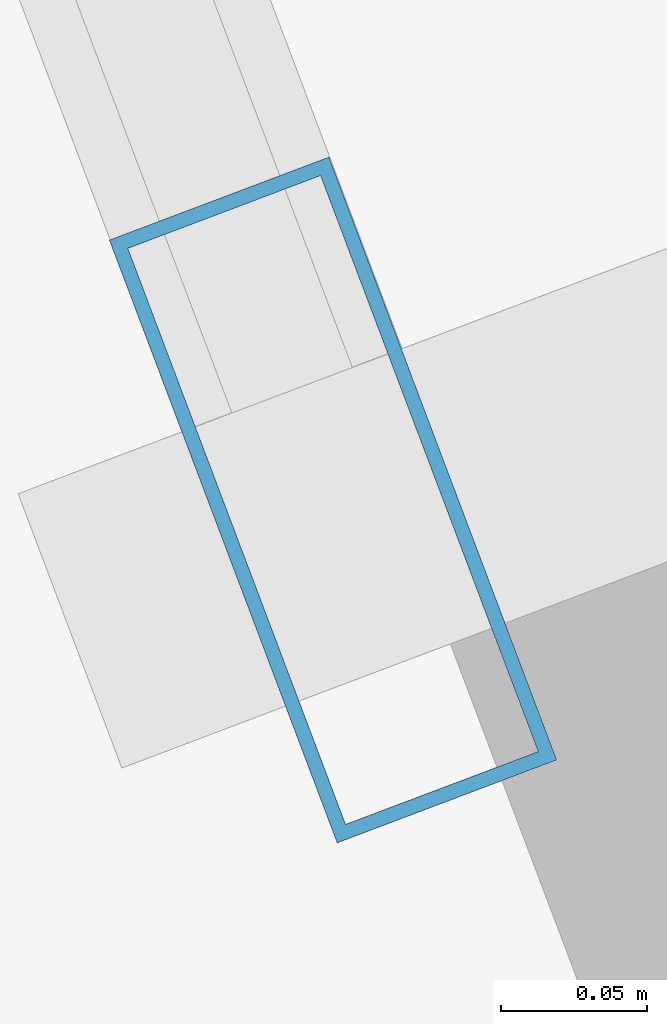
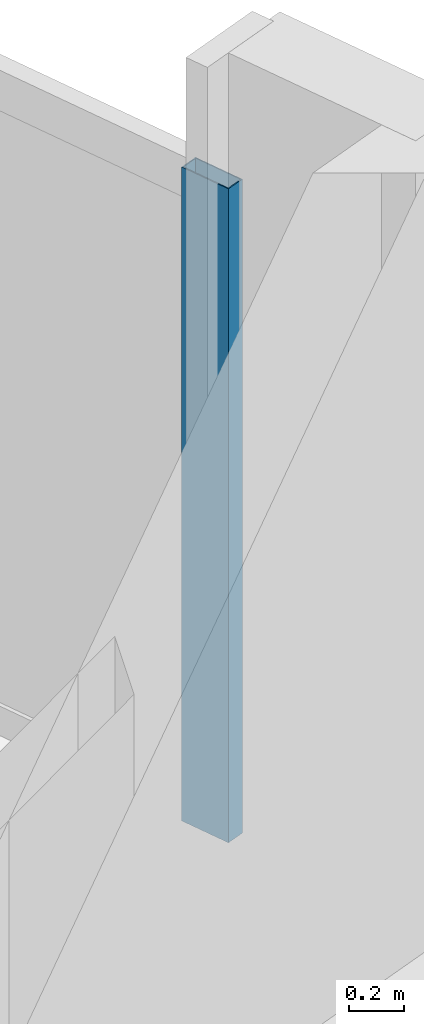
# One storey, part 13 of 37: 1 member, 1 element without a shape of its own.
"""IFC4 building model written with IfcOpenShell, lengths in metres."""

import ifcopenshell
import ifcopenshell.guid

model = None  # the IFC model being written
_history = None  # IfcOwnerHistory: only IFC2X3 demands one
_inside = {}  # id of a spatial element -> (the spatial element, [elements in it])
_under = {}  # id of a project, library or spatial element -> (it, [spatial elements below it])
_declared = {}  # id of a project -> (the project, [libraries it declares])
_typed = {}  # id of a type object -> (the type object, [elements of that type])
_made_of = {}  # id of a material, layer set ... -> (it, [elements and type objects made of it])


def new_model(schema):
    """Start an empty IFC model of exactly this schema.

    Asked for "IFC4X3", IfcOpenShell would pick the latest addendum, in which some entities
    have other attributes; the version numbers below select the first issue.
    IFC2X3 requires an IfcOwnerHistory on every rooted entity: one is made here for all.
    """
    global model, _history
    if schema == "IFC4X3":
        model = ifcopenshell.file(schema_version=(4, 3, 0, 0))
    else:
        model = ifcopenshell.file(schema=schema)
    _inside.clear()
    _under.clear()
    _declared.clear()
    _typed.clear()
    _made_of.clear()
    _history = None
    if model.schema == "IFC2X3":
        org = make("IfcOrganization", Name="unknown")
        user = make(
            "IfcPersonAndOrganization",
            ThePerson=make("IfcPerson", FamilyName="unknown"),
            TheOrganization=org,
        )
        app = make(
            "IfcApplication",
            ApplicationDeveloper=org,
            Version="unknown",
            ApplicationFullName="unknown",
            ApplicationIdentifier="unknown",
        )
        _history = make(
            "IfcOwnerHistory",
            OwningUser=user,
            OwningApplication=app,
            ChangeAction="ADDED",
            CreationDate=0,
        )
    return model


def make(cls, **values):
    """One entity of the class cls with the attributes given. An attribute that is None is left unset."""
    return model.create_entity(
        cls, **{name: value for name, value in values.items() if value is not None}
    )


def rooted(cls, **values):
    """An entity with a GlobalId (a new one), such as an element, a storey or a relation."""
    return make(cls, GlobalId=ifcopenshell.guid.new(), OwnerHistory=_history, **values)


def si_unit(unit_type, name, prefix=None):
    """IfcSIUnit, for example si_unit("LENGTHUNIT", "METRE", prefix="MILLI")."""
    return make("IfcSIUnit", UnitType=unit_type, Prefix=prefix, Name=name)


def assignment(units):
    """IfcUnitAssignment: the units of a project."""
    return None if units is None else make("IfcUnitAssignment", Units=units)


def point(xyz):
    """IfcCartesianPoint."""
    return None if xyz is None else make("IfcCartesianPoint", Coordinates=xyz)


def direction(xyz):
    """IfcDirection."""
    return None if xyz is None else make("IfcDirection", DirectionRatios=xyz)


def frame(location, z_axis=None, x_axis=None):
    """IfcAxis2Placement3D, a coordinate frame: its origin and axes. An axis left out is left unset."""
    return make(
        "IfcAxis2Placement3D",
        Location=point(location),
        Axis=direction(z_axis),
        RefDirection=direction(x_axis),
    )


def frame_2d(location, x_axis=None):
    """IfcAxis2Placement2D, a coordinate frame in the plane: its origin and x axis."""
    return make(
        "IfcAxis2Placement2D", Location=point(location), RefDirection=direction(x_axis)
    )


def origin():
    """The frame at (0, 0, 0) with its axes left unset."""
    return frame((0.0, 0.0, 0.0))


def origin_2d():
    """The frame at (0, 0) in the plane with its x axis left unset."""
    return frame_2d((0.0, 0.0))


def place(relative_to, where):
    """IfcLocalPlacement: puts the frame where relative to a parent placement (None: the world)."""
    return make(
        "IfcLocalPlacement", PlacementRelTo=relative_to, RelativePlacement=where
    )


def context(
    kind, dimensions, precision=None, world=None, true_north=None, identifier=None
):
    """IfcGeometricRepresentationContext, for example the 3D "Model" context."""
    return make(
        "IfcGeometricRepresentationContext",
        ContextIdentifier=identifier,
        ContextType=kind,
        CoordinateSpaceDimension=dimensions,
        Precision=precision,
        WorldCoordinateSystem=world,
        TrueNorth=true_north,
    )


def subcontext(parent, identifier, kind, view, scale=None):
    """IfcGeometricRepresentationSubContext, for example "Body" below "Model"."""
    return make(
        "IfcGeometricRepresentationSubContext",
        ContextIdentifier=identifier,
        ContextType=kind,
        ParentContext=parent,
        TargetScale=scale,
        TargetView=view,
    )


def project(units=None, contexts=None):
    """IfcProject with its units and contexts."""
    return rooted(
        "IfcProject",
        Name="project",
        RepresentationContexts=contexts,
        UnitsInContext=assignment(units),
    )


def spatial(cls, under=None, at=None, **own):
    """A site, building, storey or space (cls), placed at a placement, below another one or the project."""
    s = rooted(cls, ObjectPlacement=at, **own)
    if under is not None:
        _under.setdefault(under.id(), (under, []))[1].append(s)
    return s


def profile(cls, at=None, kind="AREA", **sizes):
    """A parametric profile (cls). Its sizes go by their IFC names, for example OverallWidth=200.0."""
    return make(cls, ProfileType=kind, Position=at, **sizes)


def hollow_rectangle(**sizes):
    """IfcRectangleHollowProfileDef."""
    return profile("IfcRectangleHollowProfileDef", **sizes)


def extrude(swept, where, along, depth):
    """IfcExtrudedAreaSolid: the profile swept, set in the frame where, extruded along a direction by depth."""
    return make(
        "IfcExtrudedAreaSolid",
        SweptArea=swept,
        Position=where,
        ExtrudedDirection=direction(along),
        Depth=depth,
    )


def shape(context_of_items, identifier, shape_type, items):
    """IfcShapeRepresentation: the items that make up one representation, for example the "Body"."""
    return make(
        "IfcShapeRepresentation",
        ContextOfItems=context_of_items,
        RepresentationIdentifier=identifier,
        RepresentationType=shape_type,
        Items=items,
    )


def material(Name=None, Category=None):
    """IfcMaterial."""
    return make("IfcMaterial", Name=Name, Category=Category)


def material_profile(
    of_material, cross_section, Name=None, Category=None, Priority=None
):
    """IfcMaterialProfile: a cross section and its material."""
    return make(
        "IfcMaterialProfile",
        Name=Name,
        Material=of_material,
        Profile=cross_section,
        Priority=Priority,
        Category=Category,
    )


def profile_set(profiles, Name=None, composite=None):
    """IfcMaterialProfileSet."""
    return make(
        "IfcMaterialProfileSet",
        Name=Name,
        MaterialProfiles=profiles,
        CompositeProfile=composite,
    )


def made_of(thing, what):
    """Note that an element or type object is made of a material, layer set ...; save() writes the relation."""
    if what is not None:
        _made_of.setdefault(what.id(), (what, []))[1].append(thing)
    return thing


def type_object(cls, material=None, **own):
    """A type object (cls), such as IfcWallType, which elements share."""
    return made_of(rooted(cls, **own), material)


def element(
    cls,
    number,
    at=None,
    inside=None,
    cuts=None,
    type_object=None,
    material=None,
    context=None,
    identifier="Body",
    shape_type=None,
    held_by="IfcProductDefinitionShape",
    body=None,
    shapes=None,
    **own,
):
    """One element of the class cls, such as IfcWall. Its Tag is "e" and its number.

    at: its placement. inside: the storey or other place that contains it. cuts: it is an
    opening in that element (IfcRelVoidsElement). A single representation is given by context,
    identifier, shape_type and body (its items); several are given by shapes. held_by: the class
    of the entity that holds the representations. save() writes the other relations.
    """
    e = rooted(cls, Tag="e%d" % number, ObjectPlacement=at, **own)
    if body is not None:
        shapes = [shape(context, identifier, shape_type, body)]
    if shapes is not None:
        e.Representation = make(held_by, Representations=shapes)
    if inside is not None:
        _inside.setdefault(inside.id(), (inside, []))[1].append(e)
    if cuts is not None:
        rooted(
            "IfcRelVoidsElement", RelatingBuildingElement=cuts, RelatedOpeningElement=e
        )
    if type_object is not None:
        _typed.setdefault(type_object.id(), (type_object, []))[1].append(e)
    return made_of(e, material)


def aggregate(whole, parts):
    """IfcRelAggregates: a whole, such as a stair, and the parts it consists of."""
    return rooted("IfcRelAggregates", RelatingObject=whole, RelatedObjects=parts)


def save(model, path):
    """Write the relations noted so far, then the file.

    IfcRelAggregates (storeys below a building ...), IfcRelContainedInSpatialStructure (elements
    in a storey), IfcRelDefinesByType, IfcRelAssociatesMaterial and IfcRelDeclares: one each for
    every whole, place, type object, material and project.
    """
    for whole, parts in _under.values():
        aggregate(whole, parts)
    for where, things in _inside.values():
        rooted(
            "IfcRelContainedInSpatialStructure",
            RelatedElements=things,
            RelatingStructure=where,
        )
    for kind, things in _typed.values():
        rooted("IfcRelDefinesByType", RelatedObjects=things, RelatingType=kind)
    for what, things in _made_of.values():
        rooted("IfcRelAssociatesMaterial", RelatedObjects=things, RelatingMaterial=what)
    for by, libraries in _declared.values():
        rooted("IfcRelDeclares", RelatingContext=by, RelatedDefinitions=libraries)
    model.write(path)


model = new_model("IFC4")

# Units and contexts
model_context = context("Model", 3, precision=1e-05, world=origin(), true_north=direction((0.0, 1.0)))
body_context = subcontext(model_context, "Body", "Model", "MODEL_VIEW")
ifc_project = project(units=[si_unit("LENGTHUNIT", "METRE"), si_unit("AREAUNIT", "SQUARE_METRE"), si_unit("VOLUMEUNIT", "CUBIC_METRE"), si_unit("PLANEANGLEUNIT", "RADIAN"), si_unit("MASSUNIT", "GRAM", prefix="KILO")], contexts=[model_context])

# Site, building, storey
site_placement = place(None, origin())
site = spatial("IfcSite", under=ifc_project, at=site_placement, CompositionType="ELEMENT")
building_placement = place(site_placement, origin())
building = spatial("IfcBuilding", under=site, at=building_placement, Name="Haldenkirk Collegiate Tower", CompositionType="ELEMENT")
storey_placement = place(building_placement, frame((0.0, 0.0, 97.949951171875)))
storey = spatial("IfcBuildingStorey", under=building, at=storey_placement, Name="L23", CompositionType="ELEMENT", Elevation=97.949951171875)

# Curtain wall, member
ifc_material = material(Name="Anodised architectural bronze aluminium", Category="aluminium")
curtain_wall_type = type_object("IfcCurtainWallType", Name="CW-SYS1-CONVEX-LOW", PredefinedType="USERDEFINED", material=ifc_material)
curtain_wall_placement = place(storey_placement, origin())
curtain_wall = element("IfcCurtainWall", 1, at=curtain_wall_placement, inside=storey, type_object=curtain_wall_type, Name="L23 Lower tower convex bronze-framed unitised curtain wall", ObjectType="UNITISED CURTAIN WALL", PredefinedType="USERDEFINED")
ifc_material_profile = material_profile(ifc_material, hollow_rectangle(XDim=0.080078125, YDim=0.219970703125, WallThickness=0.0048828125, at=origin_2d()), Name="CW-MUL-1A")
ifc_profile_set = profile_set([ifc_material_profile], Name="Anodised architectural bronze aluminium")
member_type = type_object("IfcMemberType", Name="CW-MUL-1A", PredefinedType="MULLION", material=ifc_profile_set)
member_placement = place(storey_placement, frame((67.125244140625, 16.958251953125, 0.0), z_axis=(0.0, 0.0, 1.0), x_axis=(0.93544328227, 0.35347682478, 0.0)))
member = element("IfcMember", 2, at=member_placement, type_object=member_type, Name="CW-1A mullion 5", PredefinedType="MULLION", context=body_context, shape_type="SweptSolid", body=[
    extrude(hollow_rectangle(XDim=0.080078125, YDim=0.219970703125, WallThickness=0.0048828125, at=origin_2d()), origin(), (0.0, 0.0, 1.0), 2.901123046875),
])
aggregate(curtain_wall, [member])

save(model, "model.ifc")
